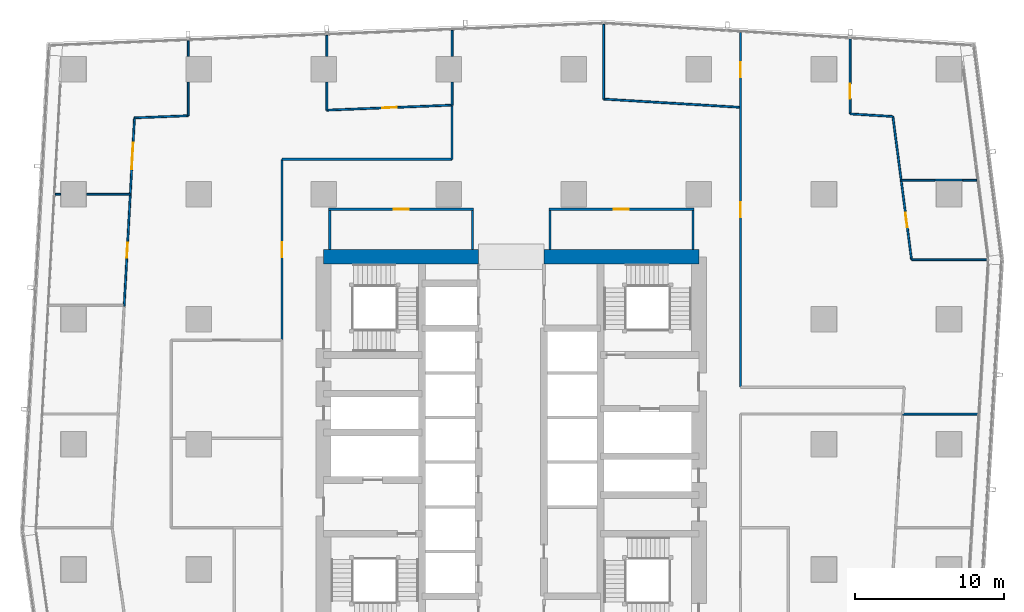
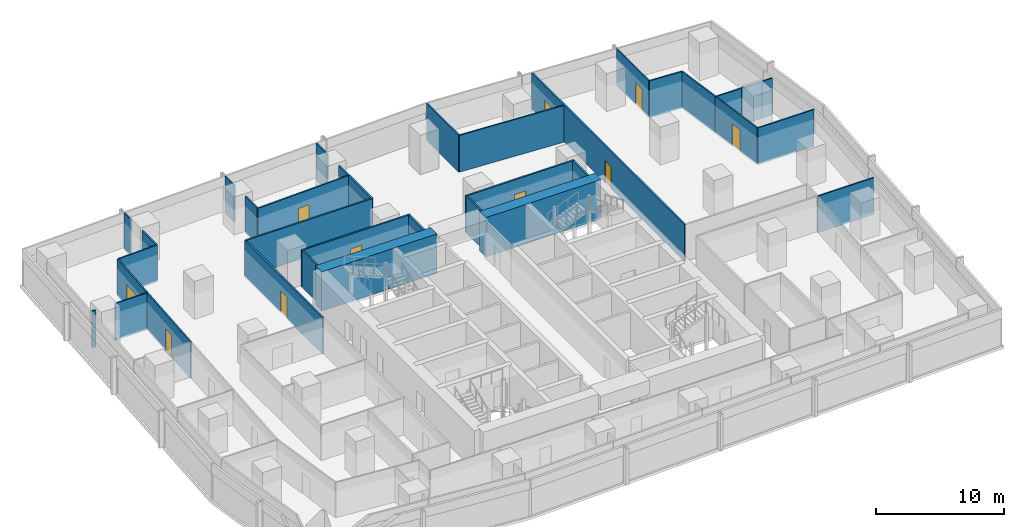
# One storey, part 31 of 40: 35 walls, 10 doors, 10 openings.
"""IFC4 building model written with IfcOpenShell, lengths in metres."""

from ifc_helpers import new_model, si_unit, direction, frame, frame_2d, origin, place, context, subcontext, project, spatial, rectangle, extrude, material, layer, layer_set, type_object, element, fill, save


model = new_model("IFC4")

# Units and contexts
model_context = context("Model", 3, precision=1e-05, world=origin(), true_north=direction((0.0, 1.0)))
body_context = subcontext(model_context, "Body", "Model", "MODEL_VIEW")
ifc_project = project(units=[si_unit("LENGTHUNIT", "METRE"), si_unit("AREAUNIT", "SQUARE_METRE"), si_unit("VOLUMEUNIT", "CUBIC_METRE"), si_unit("PLANEANGLEUNIT", "RADIAN"), si_unit("MASSUNIT", "GRAM", prefix="KILO")], contexts=[model_context])

# Site, building, storey
site_placement = place(None, origin())
site = spatial("IfcSite", under=ifc_project, at=site_placement, CompositionType="ELEMENT")
building_placement = place(site_placement, origin())
building = spatial("IfcBuilding", under=site, at=building_placement, Name="Rekha Terrace Tower", CompositionType="ELEMENT")
storey_placement = place(building_placement, frame((0.0, 0.0, 136.550048828125)))
storey = spatial("IfcBuildingStorey", under=building, at=storey_placement, Name="L34", CompositionType="ELEMENT", Elevation=136.550048828125)

# Walls
ifc_material_1 = material(Name="Concrete M70", Category="concrete")
ifc_layer_1 = layer(ifc_material_1, 1.0)
ifc_layer_set_1 = layer_set([ifc_layer_1], Name="Concrete M70")
wall_type_1 = type_object("IfcWallType", Name="SW2 1000 core outer shear wall", PredefinedType="SHEAR", material=ifc_layer_set_1)
wall_1_placement = place(storey_placement, frame((25.199951171875, 46.199951171875, 0.0), z_axis=(0.0, 0.0, 1.0), x_axis=(1.0, 0.0, 0.0)))
element("IfcWall", 1, at=wall_1_placement, inside=storey, type_object=wall_type_1, Name="Core wall N1 L34", PredefinedType="SHEAR", context=body_context, shape_type="SweptSolid", body=[
    extrude(rectangle(XDim=10.400146484375, YDim=1.0, at=frame_2d((5.2001953125, 0.0))), origin(), (0.0, 0.0, 1.0), 3.75),
])
wall_2_placement = place(storey_placement, frame((40.0, 46.199951171875, 0.0), z_axis=(0.0, 0.0, 1.0), x_axis=(1.0, 0.0, 0.0)))
element("IfcWall", 2, at=wall_2_placement, inside=storey, type_object=wall_type_1, Name="Core wall N2 L34", PredefinedType="SHEAR", context=body_context, shape_type="SweptSolid", body=[
    extrude(rectangle(XDim=10.39990234375, YDim=1.0, at=frame_2d((5.199951171875, 0.0))), origin(), (0.0, 0.0, 1.0), 3.75),
])

# Wall, opening, door
ifc_material_2 = material(Name="Concrete block masonry, 1 hour", Category="masonry")
ifc_layer_2 = layer(ifc_material_2, 0.14990234375)
ifc_layer_set_2 = layer_set([ifc_layer_2], Name="Concrete block masonry, 1 hour")
wall_type_2 = type_object("IfcWallType", Name="WP2 150 tenancy partition", PredefinedType="PARTITIONING", material=ifc_layer_set_2)
wall_3_placement = place(storey_placement, frame((40.324951171875, 49.39990234375, 0.0), z_axis=(0.0, 0.0, 1.0), x_axis=(1.0, 0.0, 0.0)))
wall_3 = element("IfcWall", 3, at=wall_3_placement, inside=storey, type_object=wall_type_2, Name="Women's WC wall L34", PredefinedType="PARTITIONING", context=body_context, shape_type="SweptSolid", body=[
    extrude(rectangle(XDim=9.75, YDim=0.14990234375, at=frame_2d((4.875, 0.0))), origin(), (0.0, 0.0, 1.0), 3.5),
])
opening_1_placement = place(wall_3_placement, frame((4.375, 0.0, 0.0)))
opening_1 = element("IfcOpeningElement", 4, at=opening_1_placement, cuts=wall_3, Name="Opening D3", PredefinedType="OPENING", context=body_context, shape_type="SweptSolid", body=[
    extrude(rectangle(XDim=1.0, YDim=2.10009765625, at=frame_2d((0.5, 1.050048828125))), frame((0.0, 0.0849609375, 0.0), z_axis=(0.0, -1.0, 0.0), x_axis=(1.0, 0.0, 0.0)), (0.0, 0.0, 1.0), 0.169921875),
])
ifc_material_3 = material(Name="Laminated timber fire door", Category="wood")
door_type_1 = type_object("IfcDoorType", Name="D3 1000x2100 WC door", OperationType="SINGLE_SWING_LEFT", PredefinedType="DOOR", material=ifc_material_3)
door_1_placement = place(opening_1_placement, origin())
door_1 = element("IfcDoor", 5, at=door_1_placement, inside=storey, type_object=door_type_1, Name="Door women's wc L34", OperationType="SINGLE_SWING_LEFT", OverallHeight=2.10009765625, OverallWidth=1.0, PredefinedType="DOOR", context=body_context, shape_type="SweptSolid", body=[
    extrude(rectangle(XDim=1.0, YDim=2.10009765625, at=frame_2d((0.5, 1.050048828125))), frame((0.0, 0.02490234375, 0.0), z_axis=(0.0, -1.0, 0.0), x_axis=(1.0, 0.0, 0.0)), (0.0, 0.0, 1.0), 0.050048828125),
])
fill(opening_1, door_1)

# Walls
for number, where, z_axis, x_axis, name in (
    (6, (40.39990234375, 46.699951171875, 0.0), (0.0, 0.0, 1.0), (0.0, 1.0, 0.0), "Women's WC wall L34"),
    (7, (50.0, 46.699951171875, 0.0), (0.0, 0.0, 1.0), (0.0, 1.0, 0.0), "Women's WC wall L34"),
):
    element("IfcWall", number, at=place(storey_placement, frame(where, z_axis=z_axis, x_axis=x_axis)), inside=storey, type_object=wall_type_2, Name=name, PredefinedType="PARTITIONING", context=body_context, shape_type="SweptSolid", body=[
        extrude(rectangle(XDim=2.625, YDim=0.14990234375, at=frame_2d((1.3125, 0.0))), origin(), (0.0, 0.0, 1.0), 3.5),
    ])

# Wall, opening, door
wall_4_placement = place(storey_placement, frame((25.52490234375, 49.39990234375, 0.0), z_axis=(0.0, 0.0, 1.0), x_axis=(1.0, 0.0, 0.0)))
wall_4 = element("IfcWall", 8, at=wall_4_placement, inside=storey, type_object=wall_type_2, Name="Women's WC wall L34", PredefinedType="PARTITIONING", context=body_context, shape_type="SweptSolid", body=[
    extrude(rectangle(XDim=9.75, YDim=0.14990234375, at=frame_2d((4.875, 0.0))), origin(), (0.0, 0.0, 1.0), 3.5),
])
opening_2_placement = place(wall_4_placement, frame((4.375, 0.0, 0.0)))
opening_2 = element("IfcOpeningElement", 9, at=opening_2_placement, cuts=wall_4, Name="Opening D3", PredefinedType="OPENING", context=body_context, shape_type="SweptSolid", body=[
    extrude(rectangle(XDim=1.0, YDim=2.10009765625, at=frame_2d((0.5, 1.050048828125))), frame((0.0, 0.0849609375, 0.0), z_axis=(0.0, -1.0, 0.0), x_axis=(1.0, 0.0, 0.0)), (0.0, 0.0, 1.0), 0.169921875),
])
door_2_placement = place(opening_2_placement, origin())
door_2 = element("IfcDoor", 10, at=door_2_placement, inside=storey, type_object=door_type_1, Name="Door women's wc L34", OperationType="SINGLE_SWING_LEFT", OverallHeight=2.10009765625, OverallWidth=1.0, PredefinedType="DOOR", context=body_context, shape_type="SweptSolid", body=[
    extrude(rectangle(XDim=1.0, YDim=2.10009765625, at=frame_2d((0.5, 1.050048828125))), frame((0.0, 0.02490234375, 0.0), z_axis=(0.0, -1.0, 0.0), x_axis=(1.0, 0.0, 0.0)), (0.0, 0.0, 1.0), 0.050048828125),
])
fill(opening_2, door_2)

# Walls
for number, where, z_axis, x_axis, name in (
    (11, (25.60009765625, 46.699951171875, 0.0), (0.0, 0.0, 1.0), (0.0, 1.0, 0.0), "Women's WC wall L34"),
    (12, (35.199951171875, 46.699951171875, 0.0), (0.0, 0.0, 1.0), (0.0, 1.0, 0.0), "Women's WC wall L34"),
):
    element("IfcWall", number, at=place(storey_placement, frame(where, z_axis=z_axis, x_axis=x_axis)), inside=storey, type_object=wall_type_2, Name=name, PredefinedType="PARTITIONING", context=body_context, shape_type="SweptSolid", body=[
        extrude(rectangle(XDim=2.625, YDim=0.14990234375, at=frame_2d((1.3125, 0.0))), origin(), (0.0, 0.0, 1.0), 3.5),
    ])

# Wall, openings, doors
wall_5_placement = place(storey_placement, frame((53.200927734375, 37.43701171875, 0.0), z_axis=(0.0, 0.0, 1.0), x_axis=(0.0, 1.0, 0.0)))
wall_5 = element("IfcWall", 13, at=wall_5_placement, inside=storey, type_object=wall_type_2, Name="Partition L34-O1", PredefinedType="PARTITIONING", context=body_context, shape_type="SweptSolid", body=[
    extrude(rectangle(XDim=23.83203125, YDim=0.14990234375, at=frame_2d((11.916015625, 0.0))), origin(), (0.0, 0.0, 1.0), 3.5),
])
opening_3_placement = place(wall_5_placement, frame((11.416015625, 0.0, 0.0)))
opening_3 = element("IfcOpeningElement", 14, at=opening_3_placement, cuts=wall_5, Name="Opening D9", PredefinedType="OPENING", context=body_context, shape_type="SweptSolid", body=[
    extrude(rectangle(XDim=1.0, YDim=2.10009765625, at=frame_2d((0.5, 1.050048828125))), frame((0.0, 0.0849609375, 0.0), z_axis=(0.0, -1.0, 0.0), x_axis=(1.0, 0.0, 0.0)), (0.0, 0.0, 1.0), 0.169921875),
])
opening_4_placement = place(wall_5_placement, frame((20.818115234375, 0.0, 0.0)))
opening_4 = element("IfcOpeningElement", 15, at=opening_4_placement, cuts=wall_5, Name="Opening D9", PredefinedType="OPENING", context=body_context, shape_type="SweptSolid", body=[
    extrude(rectangle(XDim=1.0, YDim=2.10009765625, at=frame_2d((0.5, 1.050048828125))), frame((0.0, 0.0849609375, 0.0), z_axis=(0.0, -1.0, 0.0), x_axis=(1.0, 0.0, 0.0)), (0.0, 0.0, 1.0), 0.169921875),
])
ifc_material_4 = material(Name="Timber fire door", Category="wood")
door_type_2 = type_object("IfcDoorType", Name="D9 1000x2100 office door", OperationType="SINGLE_SWING_LEFT", PredefinedType="DOOR", material=ifc_material_4)
door_3_placement = place(opening_3_placement, origin())
door_3 = element("IfcDoor", 16, at=door_3_placement, inside=storey, type_object=door_type_2, Name="Door open-plan office L34", OperationType="SINGLE_SWING_LEFT", OverallHeight=2.10009765625, OverallWidth=1.0, PredefinedType="DOOR", context=body_context, shape_type="SweptSolid", body=[
    extrude(rectangle(XDim=1.0, YDim=2.10009765625, at=frame_2d((0.5, 1.050048828125))), frame((0.0, 0.02490234375, 0.0), z_axis=(0.0, -1.0, 0.0), x_axis=(1.0, 0.0, 0.0)), (0.0, 0.0, 1.0), 0.050048828125),
])
fill(opening_3, door_3)
door_4_placement = place(opening_4_placement, origin())
door_4 = element("IfcDoor", 17, at=door_4_placement, inside=storey, type_object=door_type_2, Name="Door office L34", OperationType="SINGLE_SWING_LEFT", OverallHeight=2.10009765625, OverallWidth=1.0, PredefinedType="DOOR", context=body_context, shape_type="SweptSolid", body=[
    extrude(rectangle(XDim=1.0, YDim=2.10009765625, at=frame_2d((0.5, 1.050048828125))), frame((0.0, 0.02490234375, 0.0), z_axis=(0.0, -1.0, 0.0), x_axis=(1.0, 0.0, 0.0)), (0.0, 0.0, 1.0), 0.050048828125),
])
fill(opening_4, door_4)

# Walls
wall_6_placement = place(storey_placement, frame((66.260009765625, 51.35498046875, 0.0), z_axis=(0.0, 0.0, 1.0), x_axis=(1.0, 0.0, 0.0)))
element("IfcWall", 18, at=wall_6_placement, inside=storey, type_object=wall_type_2, Name="Partition L34-O1", PredefinedType="PARTITIONING", context=body_context, shape_type="SweptSolid", body=[
    extrude(rectangle(XDim=1.8798828125, YDim=0.14990234375, at=frame_2d((0.93994140625, 0.0))), origin(), (0.0, 0.0, 1.0), 3.5),
])
wall_7_placement = place(storey_placement, frame((33.825927734375, 56.323974609375, 0.0), z_axis=(0.0, 0.0, 1.0), x_axis=(0.0, -1.0, 0.0)))
element("IfcWall", 19, at=wall_7_placement, inside=storey, type_object=wall_type_2, Name="Partition L34-O2", PredefinedType="PARTITIONING", context=body_context, shape_type="SweptSolid", body=[
    extrude(rectangle(XDim=3.573974609375, YDim=0.14990234375, at=frame_2d((1.787109375, 0.0))), origin(), (0.0, 0.0, 1.0), 3.5),
])
wall_8_placement = place(storey_placement, frame((33.825927734375, 52.75, 0.0), z_axis=(0.0, 0.0, 1.0), x_axis=(-1.0, 0.0, 0.0)))
element("IfcWall", 20, at=wall_8_placement, inside=storey, type_object=wall_type_2, Name="Partition L34-O2", PredefinedType="PARTITIONING", context=body_context, shape_type="SweptSolid", body=[
    extrude(rectangle(XDim=11.426025390625, YDim=0.14990234375, at=frame_2d((5.712890625, 0.0))), origin(), (0.0, 0.0, 1.0), 3.5),
])

# Wall, opening, door
wall_9_placement = place(storey_placement, frame((22.39990234375, 52.75, 0.0), z_axis=(0.0, 0.0, 1.0), x_axis=(0.0, -1.0, 0.0)))
wall_9 = element("IfcWall", 21, at=wall_9_placement, inside=storey, type_object=wall_type_2, Name="Partition L34-O2", PredefinedType="PARTITIONING", context=body_context, shape_type="SweptSolid", body=[
    extrude(rectangle(XDim=12.14990234375, YDim=0.14990234375, at=frame_2d((6.074951171875, 0.0))), origin(), (0.0, 0.0, 1.0), 3.5),
])
opening_5_placement = place(wall_9_placement, frame((5.574951171875, 0.0, 0.0)))
opening_5 = element("IfcOpeningElement", 22, at=opening_5_placement, cuts=wall_9, Name="Opening D9", PredefinedType="OPENING", context=body_context, shape_type="SweptSolid", body=[
    extrude(rectangle(XDim=1.0, YDim=2.10009765625, at=frame_2d((0.5, 1.050048828125))), frame((0.0, 0.0849609375, 0.0), z_axis=(0.0, -1.0, 0.0), x_axis=(1.0, 0.0, 0.0)), (0.0, 0.0, 1.0), 0.169921875),
])
door_5_placement = place(opening_5_placement, origin())
door_5 = element("IfcDoor", 23, at=door_5_placement, inside=storey, type_object=door_type_2, Name="Door open-plan office L34", OperationType="SINGLE_SWING_LEFT", OverallHeight=2.10009765625, OverallWidth=1.0, PredefinedType="DOOR", context=body_context, shape_type="SweptSolid", body=[
    extrude(rectangle(XDim=1.0, YDim=2.10009765625, at=frame_2d((0.5, 1.050048828125))), frame((0.0, 0.02490234375, 0.0), z_axis=(0.0, -1.0, 0.0), x_axis=(1.0, 0.0, 0.0)), (0.0, 0.0, 1.0), 0.050048828125),
])
fill(opening_5, door_5)

# Walls
ifc_material_5 = material(Name="Two layers of fire-rated gypsum board each side on steel studs, acoustic quilt, 1 hour", Category="steel")
ifc_layer_3 = layer(ifc_material_5, 0.125)
ifc_layer_set_3 = layer_set([ifc_layer_3], Name="Two layers of fire-rated gypsum board each side on steel studs, acoustic quilt, 1 hour")
wall_type_3 = type_object("IfcWallType", Name="WP3 125 office partition", PredefinedType="PARTITIONING", material=ifc_layer_set_3)
wall_10_placement = place(storey_placement, frame((64.093017578125, 35.633056640625, 0.0), z_axis=(0.0, 0.0, 1.0), x_axis=(1.0, 0.0, 0.0)))
element("IfcWall", 24, at=wall_10_placement, inside=storey, type_object=wall_type_3, Name="Partition L34-05", PredefinedType="PARTITIONING", context=body_context, shape_type="SweptSolid", body=[
    extrude(rectangle(XDim=5.05908203125, YDim=0.125, at=frame_2d((2.529541015625, 0.0))), origin(), (0.0, 0.0, 1.0), 3.5),
])
wall_11_placement = place(storey_placement, frame((69.7509765625, 46.00390625, 0.0), z_axis=(0.0, 0.0, 1.0), x_axis=(-1.0, 0.0, 0.0)))
element("IfcWall", 25, at=wall_11_placement, inside=storey, type_object=wall_type_3, Name="Partition L34-06", PredefinedType="PARTITIONING", context=body_context, shape_type="SweptSolid", body=[
    extrude(rectangle(XDim=5.06201171875, YDim=0.125, at=frame_2d((2.531005859375, 0.0))), origin(), (0.0, 0.0, 1.0), 3.5),
])

# Wall, opening, door
wall_12_placement = place(storey_placement, frame((64.68896484375, 46.00390625, 0.0), z_axis=(0.0, 0.0, 1.0), x_axis=(-0.129216941745, 0.991616348174, 0.0)))
wall_12 = element("IfcWall", 26, at=wall_12_placement, inside=storey, type_object=wall_type_3, Name="Partition L34-06", PredefinedType="PARTITIONING", context=body_context, shape_type="SweptSolid", body=[
    extrude(rectangle(XDim=5.379150390625, YDim=0.125, at=frame_2d((2.689453125, 0.0))), origin(), (0.0, 0.0, 1.0), 3.5),
])
opening_6_placement = place(wall_12_placement, frame((2.18994140625, 0.0, 0.0)))
opening_6 = element("IfcOpeningElement", 27, at=opening_6_placement, cuts=wall_12, Name="Opening D9", PredefinedType="OPENING", context=body_context, shape_type="SweptSolid", body=[
    extrude(rectangle(XDim=1.0, YDim=2.10009765625, at=frame_2d((0.5, 1.050048828125))), frame((0.0, 0.072509765625, 0.0), z_axis=(0.0, -1.0, 0.0), x_axis=(1.0, 0.0, 0.0)), (0.0, 0.0, 1.0), 0.14501953125),
])
door_6_placement = place(opening_6_placement, origin())
door_6 = element("IfcDoor", 28, at=door_6_placement, inside=storey, type_object=door_type_2, Name="Door office L34", OperationType="SINGLE_SWING_LEFT", OverallHeight=2.10009765625, OverallWidth=1.0, PredefinedType="DOOR", context=body_context, shape_type="SweptSolid", body=[
    extrude(rectangle(XDim=1.0, YDim=2.10009765625, at=frame_2d((0.5, 1.050048828125))), frame((0.0, 0.02490234375, 0.0), z_axis=(0.0, -1.0, 0.0), x_axis=(1.0, 0.0, 0.0)), (0.0, 0.0, 1.0), 0.050048828125),
])
fill(opening_6, door_6)

# Walls
wall_13_placement = place(storey_placement, frame((63.993896484375, 51.337890625, 0.0), z_axis=(0.0, 0.0, 1.0), x_axis=(1.0, 0.0, 0.0)))
element("IfcWall", 29, at=wall_13_placement, inside=storey, type_object=wall_type_3, Name="Partition L34-06", PredefinedType="PARTITIONING", context=body_context, shape_type="SweptSolid", body=[
    extrude(rectangle(XDim=2.26611328125, YDim=0.125, at=frame_2d((1.133056640625, 0.0))), origin(), (0.0, 0.0, 1.0), 3.5),
])
wall_14_placement = place(storey_placement, frame((68.139892578125, 51.337890625, 0.0), z_axis=(0.0, 0.0, 1.0), x_axis=(1.0, 0.0, 0.0)))
element("IfcWall", 30, at=wall_14_placement, inside=storey, type_object=wall_type_3, Name="Partition L34-06", PredefinedType="PARTITIONING", context=body_context, shape_type="SweptSolid", body=[
    extrude(rectangle(XDim=0.9169921875, YDim=0.125, at=frame_2d((0.45849609375, 0.0))), origin(), (0.0, 0.0, 1.0), 3.5),
])

# Wall, opening, door
wall_15_placement = place(storey_placement, frame((60.56201171875, 55.798095703125, 0.0), z_axis=(0.0, 0.0, 1.0), x_axis=(0.0, 1.0, 0.0)))
wall_15 = element("IfcWall", 31, at=wall_15_placement, inside=storey, type_object=wall_type_3, Name="Partition L34-07", PredefinedType="PARTITIONING", context=body_context, shape_type="SweptSolid", body=[
    extrude(rectangle(XDim=5.02880859375, YDim=0.125, at=frame_2d((2.514404296875, 0.0))), origin(), (0.0, 0.0, 1.0), 3.5),
])
opening_7_placement = place(wall_15_placement, frame((1.013916015625, 0.0, 0.0)))
opening_7 = element("IfcOpeningElement", 32, at=opening_7_placement, cuts=wall_15, Name="Opening D9", PredefinedType="OPENING", context=body_context, shape_type="SweptSolid", body=[
    extrude(rectangle(XDim=1.0, YDim=2.10009765625, at=frame_2d((0.5, 1.050048828125))), frame((0.0, 0.072509765625, 0.0), z_axis=(0.0, -1.0, 0.0), x_axis=(1.0, 0.0, 0.0)), (0.0, 0.0, 1.0), 0.14501953125),
])
door_7_placement = place(opening_7_placement, origin())
door_7 = element("IfcDoor", 33, at=door_7_placement, inside=storey, type_object=door_type_2, Name="Door director's office L34", OperationType="SINGLE_SWING_LEFT", OverallHeight=2.10009765625, OverallWidth=1.0, PredefinedType="DOOR", context=body_context, shape_type="SweptSolid", body=[
    extrude(rectangle(XDim=1.0, YDim=2.10009765625, at=frame_2d((0.5, 1.050048828125))), frame((0.0, 0.02490234375, 0.0), z_axis=(0.0, -1.0, 0.0), x_axis=(1.0, 0.0, 0.0)), (0.0, 0.0, 1.0), 0.050048828125),
])
fill(opening_7, door_7)

# Walls
wall_16_placement = place(storey_placement, frame((63.993896484375, 51.339111328125, 0.0), z_axis=(0.0, 0.0, 1.0), x_axis=(-0.129073541997, 0.991635023966, 0.0)))
element("IfcWall", 34, at=wall_16_placement, inside=storey, type_object=wall_type_3, Name="Partition L34-07", PredefinedType="PARTITIONING", context=body_context, shape_type="SweptSolid", body=[
    extrude(rectangle(XDim=4.322021484375, YDim=0.125, at=frame_2d((2.1611328125, 0.0))), origin(), (0.0, 0.0, 1.0), 3.5),
])
wall_17_placement = place(storey_placement, frame((63.43603515625, 55.625, 0.0), z_axis=(0.0, 0.0, 1.0), x_axis=(-0.998191233869, 0.060118721102, 0.0)))
element("IfcWall", 35, at=wall_17_placement, inside=storey, type_object=wall_type_3, Name="Partition L34-07", PredefinedType="PARTITIONING", context=body_context, shape_type="SweptSolid", body=[
    extrude(rectangle(XDim=2.879150390625, YDim=0.125, at=frame_2d((1.439453125, 0.0))), origin(), (0.0, 0.0, 1.0), 3.5),
])
wall_18_placement = place(storey_placement, frame((53.1259765625, 56.243896484375, 0.0), z_axis=(0.0, 0.0, 1.0), x_axis=(-0.998193391512, 0.060082885599, 0.0)))
element("IfcWall", 36, at=wall_18_placement, inside=storey, type_object=wall_type_3, Name="Partition L34-10", PredefinedType="PARTITIONING", context=body_context, shape_type="SweptSolid", body=[
    extrude(rectangle(XDim=9.138671875, YDim=0.125, at=frame_2d((4.5693359375, 0.0))), origin(), (0.0, 0.0, 1.0), 3.5),
])
wall_19_placement = place(storey_placement, frame((44.00390625, 56.79296875, 0.0), z_axis=(0.0, 0.0, 1.0), x_axis=(0.0, 1.0, 0.0)))
element("IfcWall", 37, at=wall_19_placement, inside=storey, type_object=wall_type_3, Name="Partition L34-10", PredefinedType="PARTITIONING", context=body_context, shape_type="SweptSolid", body=[
    extrude(rectangle(XDim=5.026123046875, YDim=0.125, at=frame_2d((2.51318359375, 0.0))), origin(), (0.0, 0.0, 1.0), 3.5),
])

# Wall, opening, door
wall_20_placement = place(storey_placement, frame((33.826904296875, 56.386962890625, 0.0), z_axis=(0.0, 0.0, 1.0), x_axis=(-0.999199058446, -0.04001551701, 0.0)))
wall_20 = element("IfcWall", 38, at=wall_20_placement, inside=storey, type_object=wall_type_3, Name="Partition L34-11", PredefinedType="PARTITIONING", context=body_context, shape_type="SweptSolid", body=[
    extrude(rectangle(XDim=8.419677734375, YDim=0.125, at=frame_2d((4.2099609375, 0.0))), origin(), (0.0, 0.0, 1.0), 3.5),
])
opening_8_placement = place(wall_20_placement, frame((3.7099609375, 0.0, 0.0)))
opening_8 = element("IfcOpeningElement", 39, at=opening_8_placement, cuts=wall_20, Name="Opening D9", PredefinedType="OPENING", context=body_context, shape_type="SweptSolid", body=[
    extrude(rectangle(XDim=1.0, YDim=2.10009765625, at=frame_2d((0.5, 1.050048828125))), frame((0.0, 0.072509765625, 0.0), z_axis=(0.0, -1.0, 0.0), x_axis=(1.0, 0.0, 0.0)), (0.0, 0.0, 1.0), 0.14501953125),
])
door_8_placement = place(opening_8_placement, origin())
door_8 = element("IfcDoor", 40, at=door_8_placement, inside=storey, type_object=door_type_2, Name="Door office L34", OperationType="SINGLE_SWING_LEFT", OverallHeight=2.10009765625, OverallWidth=1.0, PredefinedType="DOOR", context=body_context, shape_type="SweptSolid", body=[
    extrude(rectangle(XDim=1.0, YDim=2.10009765625, at=frame_2d((0.5, 1.050048828125))), frame((0.0, 0.02490234375, 0.0), z_axis=(0.0, -1.0, 0.0), x_axis=(1.0, 0.0, 0.0)), (0.0, 0.0, 1.0), 0.050048828125),
])
fill(opening_8, door_8)

# Walls
wall_21_placement = place(storey_placement, frame((25.4140625, 56.050048828125, 0.0), z_axis=(0.0, 0.0, 1.0), x_axis=(0.0, 1.0, 0.0)))
element("IfcWall", 41, at=wall_21_placement, inside=storey, type_object=wall_type_3, Name="Partition L34-11", PredefinedType="PARTITIONING", context=body_context, shape_type="SweptSolid", body=[
    extrude(rectangle(XDim=1.8798828125, YDim=0.125, at=frame_2d((0.93994140625, 0.0))), origin(), (0.0, 0.0, 1.0), 3.5),
])
wall_22_placement = place(storey_placement, frame((25.4140625, 59.669921875, 0.0), z_axis=(0.0, 0.0, 1.0), x_axis=(0.0, 1.0, 0.0)))
element("IfcWall", 42, at=wall_22_placement, inside=storey, type_object=wall_type_3, Name="Partition L34-11", PredefinedType="PARTITIONING", context=body_context, shape_type="SweptSolid", body=[
    extrude(rectangle(XDim=1.404052734375, YDim=0.125, at=frame_2d((0.7021484375, 0.0))), origin(), (0.0, 0.0, 1.0), 3.5),
])
wall_23_placement = place(storey_placement, frame((33.826904296875, 61.410888671875, 0.0), z_axis=(0.0, 0.0, 1.0), x_axis=(0.0, -1.0, 0.0)))
element("IfcWall", 43, at=wall_23_placement, inside=storey, type_object=wall_type_3, Name="Partition L34-11", PredefinedType="PARTITIONING", context=body_context, shape_type="SweptSolid", body=[
    extrude(rectangle(XDim=1.740966796875, YDim=0.125, at=frame_2d((0.87060546875, 0.0))), origin(), (0.0, 0.0, 1.0), 3.5),
])
wall_24_placement = place(storey_placement, frame((33.826904296875, 57.929931640625, 0.0), z_axis=(0.0, 0.0, 1.0), x_axis=(0.0, -1.0, 0.0)))
element("IfcWall", 44, at=wall_24_placement, inside=storey, type_object=wall_type_3, Name="Partition L34-11", PredefinedType="PARTITIONING", context=body_context, shape_type="SweptSolid", body=[
    extrude(rectangle(XDim=1.54296875, YDim=0.125, at=frame_2d((0.771484375, 0.0))), origin(), (0.0, 0.0, 1.0), 3.5),
])
wall_25_placement = place(storey_placement, frame((16.10107421875, 60.699951171875, 0.0), z_axis=(0.0, 0.0, 1.0), x_axis=(0.0, -1.0, 0.0)))
element("IfcWall", 45, at=wall_25_placement, inside=storey, type_object=wall_type_3, Name="Partition L34-12", PredefinedType="PARTITIONING", context=body_context, shape_type="SweptSolid", body=[
    extrude(rectangle(XDim=1.030029296875, YDim=0.125, at=frame_2d((0.51513671875, 0.0))), origin(), (0.0, 0.0, 1.0), 3.5),
])
wall_26_placement = place(storey_placement, frame((16.10107421875, 57.929931640625, 0.0), z_axis=(0.0, 0.0, 1.0), x_axis=(0.0, -1.0, 0.0)))
element("IfcWall", 46, at=wall_26_placement, inside=storey, type_object=wall_type_3, Name="Partition L34-12", PredefinedType="PARTITIONING", context=body_context, shape_type="SweptSolid", body=[
    extrude(rectangle(XDim=2.25390625, YDim=0.125, at=frame_2d((1.126953125, 0.0))), origin(), (0.0, 0.0, 1.0), 3.5),
])
wall_27_placement = place(storey_placement, frame((16.10107421875, 55.676025390625, 0.0), z_axis=(0.0, 0.0, 1.0), x_axis=(-0.999204947676, -0.039868189567, 0.0)))
element("IfcWall", 47, at=wall_27_placement, inside=storey, type_object=wall_type_3, Name="Partition L34-12", PredefinedType="PARTITIONING", context=body_context, shape_type="SweptSolid", body=[
    extrude(rectangle(XDim=3.613037109375, YDim=0.125, at=frame_2d((1.806640625, 0.0))), origin(), (0.0, 0.0, 1.0), 3.5),
])

# Wall, opening, door
wall_28_placement = place(storey_placement, frame((12.490966796875, 55.531982421875, 0.0), z_axis=(0.0, 0.0, 1.0), x_axis=(-0.054706604425, -0.998502472422, 0.0)))
wall_28 = element("IfcWall", 48, at=wall_28_placement, inside=storey, type_object=wall_type_3, Name="Partition L34-12", PredefinedType="PARTITIONING", context=body_context, shape_type="SweptSolid", body=[
    extrude(rectangle(XDim=5.13671875, YDim=0.125, at=frame_2d((2.568359375, 0.0))), origin(), (0.0, 0.0, 1.0), 3.5),
])
opening_9_placement = place(wall_28_placement, frame((1.66796875, 0.0, 0.0)))
opening_9 = element("IfcOpeningElement", 49, at=opening_9_placement, cuts=wall_28, Name="Opening D8", PredefinedType="OPENING", context=body_context, shape_type="SweptSolid", body=[
    extrude(rectangle(XDim=1.800048828125, YDim=2.10009765625, at=frame_2d((0.89990234375, 1.050048828125))), frame((0.0, 0.072509765625, 0.0), z_axis=(0.0, -1.0, 0.0), x_axis=(1.0, 0.0, 0.0)), (0.0, 0.0, 1.0), 0.14501953125),
])
door_type_3 = type_object("IfcDoorType", Name="D8 1800x2100 double leaf door", OperationType="DOUBLE_DOOR_SINGLE_SWING", PredefinedType="DOOR", material=ifc_material_4)
door_9_placement = place(opening_9_placement, origin())
door_9 = element("IfcDoor", 50, at=door_9_placement, inside=storey, type_object=door_type_3, Name="Door board meeting room L34", OperationType="DOUBLE_DOOR_SINGLE_SWING", OverallHeight=2.10009765625, OverallWidth=1.800048828125, PredefinedType="DOOR", context=body_context, shape_type="SweptSolid", body=[
    extrude(rectangle(XDim=1.800048828125, YDim=2.10009765625, at=frame_2d((0.89990234375, 1.050048828125))), frame((0.0, 0.02490234375, 0.0), z_axis=(0.0, -1.0, 0.0), x_axis=(1.0, 0.0, 0.0)), (0.0, 0.0, 1.0), 0.050048828125),
])
fill(opening_9, door_9)

# Walls
wall_29_placement = place(storey_placement, frame((12.2099609375, 50.403076171875, 0.0), z_axis=(0.0, 0.0, 1.0), x_axis=(-1.0, 0.0, 0.0)))
element("IfcWall", 51, at=wall_29_placement, inside=storey, type_object=wall_type_3, Name="Partition L34-12", PredefinedType="PARTITIONING", context=body_context, shape_type="SweptSolid", body=[
    extrude(rectangle(XDim=2.93994140625, YDim=0.125, at=frame_2d((1.469970703125, 0.0))), origin(), (0.0, 0.0, 1.0), 3.5),
])
wall_30_placement = place(storey_placement, frame((7.530029296875, 50.403076171875, 0.0), z_axis=(0.0, 0.0, 1.0), x_axis=(-1.0, 0.0, 0.0)))
element("IfcWall", 52, at=wall_30_placement, inside=storey, type_object=wall_type_3, Name="Partition L34-12", PredefinedType="PARTITIONING", context=body_context, shape_type="SweptSolid", body=[
    extrude(rectangle(XDim=0.346923828125, YDim=0.125, at=frame_2d((0.17333984375, 0.0))), origin(), (0.0, 0.0, 1.0), 3.5),
])

# Wall, opening, door
wall_31_placement = place(storey_placement, frame((12.2099609375, 50.402099609375, 0.0), z_axis=(0.0, 0.0, 1.0), x_axis=(-0.054750918435, -0.998500043531, 0.0)))
wall_31 = element("IfcWall", 53, at=wall_31_placement, inside=storey, type_object=wall_type_3, Name="Partition L34-13", PredefinedType="PARTITIONING", context=body_context, shape_type="SweptSolid", body=[
    extrude(rectangle(XDim=7.540283203125, YDim=0.125, at=frame_2d((3.77001953125, 0.0))), origin(), (0.0, 0.0, 1.0), 3.5),
])
opening_10_placement = place(wall_31_placement, frame((3.27001953125, 0.0, 0.0)))
opening_10 = element("IfcOpeningElement", 54, at=opening_10_placement, cuts=wall_31, Name="Opening D9", PredefinedType="OPENING", context=body_context, shape_type="SweptSolid", body=[
    extrude(rectangle(XDim=1.0, YDim=2.10009765625, at=frame_2d((0.5, 1.050048828125))), frame((0.0, 0.072509765625, 0.0), z_axis=(0.0, -1.0, 0.0), x_axis=(1.0, 0.0, 0.0)), (0.0, 0.0, 1.0), 0.14501953125),
])
door_10_placement = place(opening_10_placement, origin())
door_10 = element("IfcDoor", 55, at=door_10_placement, inside=storey, type_object=door_type_2, Name="Door breakout lounge L34", OperationType="SINGLE_SWING_LEFT", OverallHeight=2.10009765625, OverallWidth=1.0, PredefinedType="DOOR", context=body_context, shape_type="SweptSolid", body=[
    extrude(rectangle(XDim=1.0, YDim=2.10009765625, at=frame_2d((0.5, 1.050048828125))), frame((0.0, 0.02490234375, 0.0), z_axis=(0.0, -1.0, 0.0), x_axis=(1.0, 0.0, 0.0)), (0.0, 0.0, 1.0), 0.050048828125),
])
fill(opening_10, door_10)

save(model, "model.ifc")
